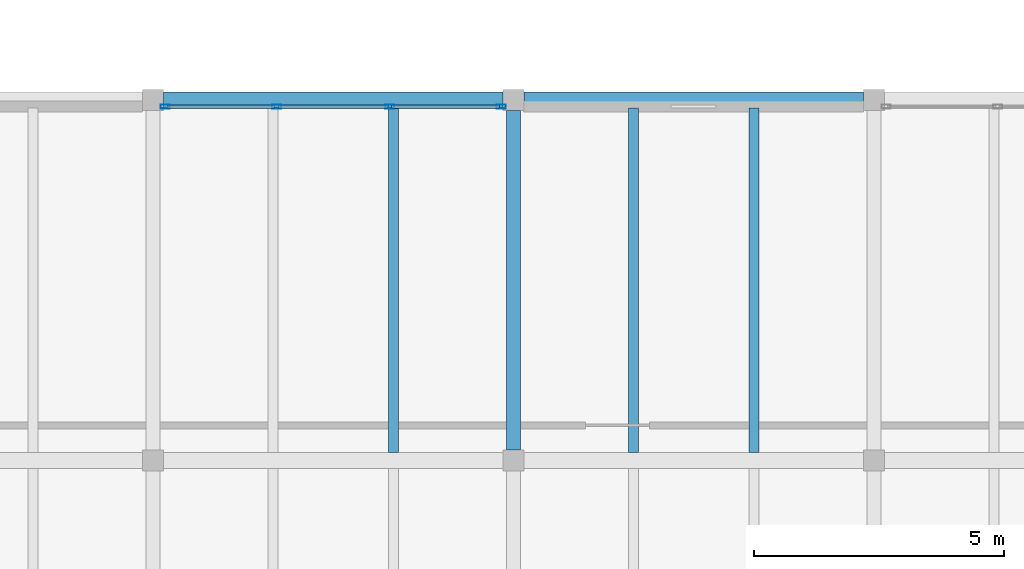
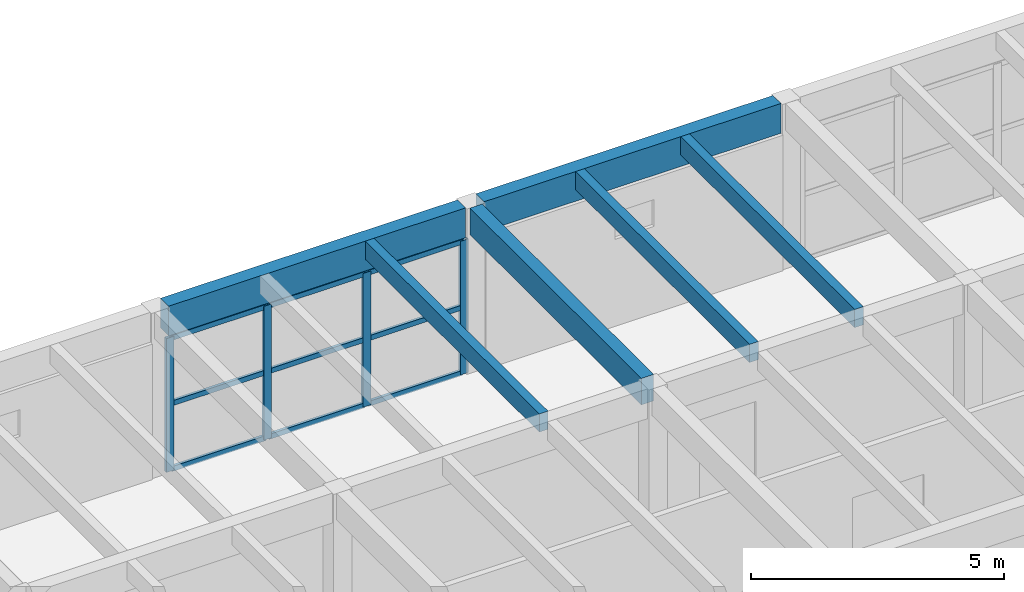
# One storey, part 26 of 68: 13 members, 6 beams, 1 element without a shape of its own.
"""IFC4 building model written with IfcOpenShell, lengths in metres."""

from ifc_helpers import new_model, si_unit, direction, frame, origin, origin_2d, place, context, subcontext, project, spatial, rectangle, hollow_rectangle, extrude, material, material_profile, profile_set, type_object, element, aggregate, save


model = new_model("IFC4")

# Units and contexts
model_context = context("Model", 3, precision=1e-05, world=origin(), true_north=direction((0.0, 1.0)))
body_context = subcontext(model_context, "Body", "Model", "MODEL_VIEW")
ifc_project = project(units=[si_unit("LENGTHUNIT", "METRE"), si_unit("AREAUNIT", "SQUARE_METRE"), si_unit("VOLUMEUNIT", "CUBIC_METRE"), si_unit("PLANEANGLEUNIT", "RADIAN"), si_unit("MASSUNIT", "GRAM", prefix="KILO")], contexts=[model_context])

# Site, building, storey
site_placement = place(None, origin())
site = spatial("IfcSite", under=ifc_project, at=site_placement, CompositionType="ELEMENT")
building_placement = place(site_placement, origin())
building = spatial("IfcBuilding", under=site, at=building_placement, Name="Bramvelor Terrace Health Centre", CompositionType="ELEMENT")
storey_placement = place(building_placement, frame((0.0, 0.0, 9.300048828125)))
storey = spatial("IfcBuildingStorey", under=building, at=storey_placement, Name="L03", CompositionType="ELEMENT", Elevation=9.300048828125)

# Beams
ifc_material_1 = material(Name="Glulam GL28h", Category="wood")
ifc_material_profile_1 = material_profile(ifc_material_1, rectangle(XDim=0.280029296875, YDim=0.639892578125, at=origin_2d()), Name="GL 280x640")
ifc_profile_set_1 = profile_set([ifc_material_profile_1], Name="Glulam GL28h")
beam_type_1 = type_object("IfcBeamType", Name="BM-GL-G640", PredefinedType="BEAM", material=ifc_profile_set_1)
beam_1_placement = place(storey_placement, frame((122.39990234375, 57.81005859375, 3.669921875), z_axis=(0.0, 1.0, 0.0), x_axis=(-1.0, 0.0, 0.0)))
element("IfcBeam", 1, at=beam_1_placement, inside=storey, type_object=beam_type_1, Name="L03 Floor Girder", PredefinedType="BEAM", context=body_context, shape_type="SweptSolid", body=[
    extrude(rectangle(XDim=0.280029296875, YDim=0.639892578125, at=origin_2d()), origin(), (0.0, 0.0, 1.0), 6.780029296875),
])
ifc_material_2 = material(Name="Glulam GL28h", Category="wood")
ifc_material_profile_2 = material_profile(ifc_material_2, rectangle(XDim=0.320068359375, YDim=0.719970703125, at=origin_2d()), Name="GL 320x720")
ifc_profile_set_2 = profile_set([ifc_material_profile_2], Name="Glulam GL28h")
beam_type_2 = type_object("IfcBeamType", Name="BM-GL-G720", PredefinedType="BEAM", material=ifc_profile_set_2)
beam_2_placement = place(storey_placement, frame((115.409912109375, 64.800048828125, 3.6298828125), z_axis=(1.0, 0.0, 0.0), x_axis=(0.0, 1.0, 0.0)))
element("IfcBeam", 2, at=beam_2_placement, inside=storey, type_object=beam_type_2, Name="L03 Floor Girder", PredefinedType="BEAM", context=body_context, shape_type="SweptSolid", body=[
    extrude(rectangle(XDim=0.320068359375, YDim=0.719970703125, at=origin_2d()), origin(), (0.0, 0.0, 1.0), 6.780029296875),
])
beam_3_placement = place(storey_placement, frame((122.610107421875, 64.800048828125, 3.6298828125), z_axis=(1.0, 0.0, 0.0), x_axis=(0.0, 1.0, 0.0)))
element("IfcBeam", 3, at=beam_3_placement, inside=storey, type_object=beam_type_2, Name="L03 Floor Girder", PredefinedType="BEAM", context=body_context, shape_type="SweptSolid", body=[
    extrude(rectangle(XDim=0.320068359375, YDim=0.719970703125, at=origin_2d()), origin(), (0.0, 0.0, 1.0), 6.77978515625),
])
ifc_material_3 = material(Name="Glulam GL28h", Category="wood")
ifc_material_profile_3 = material_profile(ifc_material_3, rectangle(XDim=0.199951171875, YDim=0.43994140625, at=origin_2d()), Name="GL 200x440")
ifc_profile_set_3 = profile_set([ifc_material_profile_3], Name="Glulam GL28h")
beam_type_3 = type_object("IfcBeamType", Name="BM-GL-J440", PredefinedType="JOIST", material=ifc_profile_set_3)
for number, where, z_axis, x_axis, name in (
    (4, (120.0, 57.760009765625, 3.77001953125), (0.0, 1.0, 0.0), (-1.0, 0.0, 0.0), "L03 Secondary Floor Joist"),
    (5, (124.800048828125, 57.760009765625, 3.77001953125), (0.0, 1.0, 0.0), (-1.0, 0.0, 0.0), "L03 Secondary Floor Joist"),
    (6, (127.199951171875, 57.760009765625, 3.77001953125), (0.0, 1.0, 0.0), (-1.0, 0.0, 0.0), "L03 Secondary Floor Joist"),
):
    element("IfcBeam", number, at=place(storey_placement, frame(where, z_axis=z_axis, x_axis=x_axis)), inside=storey, type_object=beam_type_3, Name=name, PredefinedType="JOIST", context=body_context, shape_type="SweptSolid", body=[
        extrude(rectangle(XDim=0.199951171875, YDim=0.43994140625, at=origin_2d()), origin(), (0.0, 0.0, 1.0), 6.8798828125),
    ])

# Curtain wall, members
ifc_material_4 = material(Name="Anodized aluminium and double low-E glass", Category="aluminium")
curtain_wall_type = type_object("IfcCurtainWallType", Name="CW-SYS-27", PredefinedType="NOTDEFINED", material=ifc_material_4)
curtain_wall_placement = place(storey_placement, origin())
curtain_wall = element("IfcCurtainWall", 7, at=curtain_wall_placement, inside=storey, type_object=curtain_wall_type, Name="L03 Unitized Curtain Wall 163", PredefinedType="NOTDEFINED")
ifc_material_5 = material(Name="Anodized aluminium 6063-T6", Category="aluminium")
ifc_material_profile_4 = material_profile(ifc_material_5, hollow_rectangle(XDim=0.074951171875, YDim=0.179931640625, WallThickness=0.00341796875, at=origin_2d()), Name="ALU-MUL 75x180x3.5")
ifc_profile_set_4 = profile_set([ifc_material_profile_4], Name="Anodized aluminium 6063-T6")
member_type_1 = type_object("IfcMemberType", Name="CW-MUL-65x180", PredefinedType="MULLION", material=ifc_profile_set_4)
member_1_placement = place(storey_placement, frame((115.4423828125, 64.669921875, 0.0), z_axis=(0.0, 0.0, 1.0), x_axis=(0.0, 1.0, 0.0)))
member_1 = element("IfcMember", 8, at=member_1_placement, type_object=member_type_1, Name="CW-27 mullion 1", PredefinedType="MULLION", context=body_context, shape_type="SweptSolid", body=[
    extrude(hollow_rectangle(XDim=0.074951171875, YDim=0.179931640625, WallThickness=0.00341796875, at=origin_2d()), origin(), (0.0, 0.0, 1.0), 3.22998046875),
])
member_2_placement = place(storey_placement, frame((117.668212890625, 64.669921875, 0.0), z_axis=(0.0, 0.0, 1.0), x_axis=(0.0, 1.0, 0.0)))
member_2 = element("IfcMember", 9, at=member_2_placement, type_object=member_type_1, Name="CW-27 mullion 2", PredefinedType="MULLION", context=body_context, shape_type="SweptSolid", body=[
    extrude(hollow_rectangle(XDim=0.074951171875, YDim=0.179931640625, WallThickness=0.00341796875, at=origin_2d()), origin(), (0.0, 0.0, 1.0), 3.22998046875),
])
member_3_placement = place(storey_placement, frame((119.931640625, 64.669921875, 0.0), z_axis=(0.0, 0.0, 1.0), x_axis=(0.0, 1.0, 0.0)))
member_3 = element("IfcMember", 10, at=member_3_placement, type_object=member_type_1, Name="CW-27 mullion 3", PredefinedType="MULLION", context=body_context, shape_type="SweptSolid", body=[
    extrude(hollow_rectangle(XDim=0.074951171875, YDim=0.179931640625, WallThickness=0.00341796875, at=origin_2d()), origin(), (0.0, 0.0, 1.0), 3.22998046875),
])
member_4_placement = place(storey_placement, frame((122.157470703125, 64.669921875, 0.0), z_axis=(0.0, 0.0, 1.0), x_axis=(0.0, 1.0, 0.0)))
member_4 = element("IfcMember", 11, at=member_4_placement, type_object=member_type_1, Name="CW-27 mullion 4", PredefinedType="MULLION", context=body_context, shape_type="SweptSolid", body=[
    extrude(hollow_rectangle(XDim=0.074951171875, YDim=0.179931640625, WallThickness=0.00341796875, at=origin_2d()), origin(), (0.0, 0.0, 1.0), 3.22998046875),
])
ifc_material_6 = material(Name="Anodized aluminium 6063-T6", Category="aluminium")
ifc_material_profile_5 = material_profile(ifc_material_6, hollow_rectangle(XDim=0.06494140625, YDim=0.1201171875, WallThickness=0.0029296875, at=origin_2d()), Name="ALU-TRN 65x120x3.0")
ifc_profile_set_5 = profile_set([ifc_material_profile_5], Name="Anodized aluminium 6063-T6")
member_type_2 = type_object("IfcMemberType", Name="CW-TRN-65x150", PredefinedType="USERDEFINED", material=ifc_profile_set_5)
member_5_placement = place(storey_placement, frame((115.47998046875, 64.669921875, 0.032470703125), z_axis=(1.0, 0.0, 0.0), x_axis=(0.0, 1.0, 0.0)))
member_5 = element("IfcMember", 12, at=member_5_placement, type_object=member_type_2, Name="CW-27 transom 1.1", ObjectType="TRANSOM", PredefinedType="USERDEFINED", context=body_context, shape_type="SweptSolid", body=[
    extrude(hollow_rectangle(XDim=0.06494140625, YDim=0.1201171875, WallThickness=0.0029296875, at=origin_2d()), origin(), (0.0, 0.0, 1.0), 2.15087890625),
])
member_6_placement = place(storey_placement, frame((115.47998046875, 64.669921875, 1.614990234375), z_axis=(1.0, 0.0, 0.0), x_axis=(0.0, 1.0, 0.0)))
member_6 = element("IfcMember", 13, at=member_6_placement, type_object=member_type_2, Name="CW-27 transom 1.2", ObjectType="TRANSOM", PredefinedType="USERDEFINED", context=body_context, shape_type="SweptSolid", body=[
    extrude(hollow_rectangle(XDim=0.06494140625, YDim=0.1201171875, WallThickness=0.0029296875, at=origin_2d()), origin(), (0.0, 0.0, 1.0), 2.15087890625),
])
member_7_placement = place(storey_placement, frame((115.47998046875, 64.669921875, 3.197509765625), z_axis=(1.0, 0.0, 0.0), x_axis=(0.0, 1.0, 0.0)))
member_7 = element("IfcMember", 14, at=member_7_placement, type_object=member_type_2, Name="CW-27 transom 1.3", ObjectType="TRANSOM", PredefinedType="USERDEFINED", context=body_context, shape_type="SweptSolid", body=[
    extrude(hollow_rectangle(XDim=0.06494140625, YDim=0.1201171875, WallThickness=0.0029296875, at=origin_2d()), origin(), (0.0, 0.0, 1.0), 2.15087890625),
])
member_8_placement = place(storey_placement, frame((117.705810546875, 64.669921875, 0.032470703125), z_axis=(1.0, 0.0, 0.0), x_axis=(0.0, 1.0, 0.0)))
member_8 = element("IfcMember", 15, at=member_8_placement, type_object=member_type_2, Name="CW-27 transom 2.1", ObjectType="TRANSOM", PredefinedType="USERDEFINED", context=body_context, shape_type="SweptSolid", body=[
    extrude(hollow_rectangle(XDim=0.06494140625, YDim=0.1201171875, WallThickness=0.0029296875, at=origin_2d()), origin(), (0.0, 0.0, 1.0), 2.1884765625),
])
member_9_placement = place(storey_placement, frame((117.705810546875, 64.669921875, 1.614990234375), z_axis=(1.0, 0.0, 0.0), x_axis=(0.0, 1.0, 0.0)))
member_9 = element("IfcMember", 16, at=member_9_placement, type_object=member_type_2, Name="CW-27 transom 2.2", ObjectType="TRANSOM", PredefinedType="USERDEFINED", context=body_context, shape_type="SweptSolid", body=[
    extrude(hollow_rectangle(XDim=0.06494140625, YDim=0.1201171875, WallThickness=0.0029296875, at=origin_2d()), origin(), (0.0, 0.0, 1.0), 2.1884765625),
])
member_10_placement = place(storey_placement, frame((117.705810546875, 64.669921875, 3.197509765625), z_axis=(1.0, 0.0, 0.0), x_axis=(0.0, 1.0, 0.0)))
member_10 = element("IfcMember", 17, at=member_10_placement, type_object=member_type_2, Name="CW-27 transom 2.3", ObjectType="TRANSOM", PredefinedType="USERDEFINED", context=body_context, shape_type="SweptSolid", body=[
    extrude(hollow_rectangle(XDim=0.06494140625, YDim=0.1201171875, WallThickness=0.0029296875, at=origin_2d()), origin(), (0.0, 0.0, 1.0), 2.1884765625),
])
member_11_placement = place(storey_placement, frame((119.96923828125, 64.669921875, 0.032470703125), z_axis=(1.0, 0.0, 0.0), x_axis=(0.0, 1.0, 0.0)))
member_11 = element("IfcMember", 18, at=member_11_placement, type_object=member_type_2, Name="CW-27 transom 3.1", ObjectType="TRANSOM", PredefinedType="USERDEFINED", context=body_context, shape_type="SweptSolid", body=[
    extrude(hollow_rectangle(XDim=0.06494140625, YDim=0.1201171875, WallThickness=0.0029296875, at=origin_2d()), origin(), (0.0, 0.0, 1.0), 2.15087890625),
])
member_12_placement = place(storey_placement, frame((119.96923828125, 64.669921875, 1.614990234375), z_axis=(1.0, 0.0, 0.0), x_axis=(0.0, 1.0, 0.0)))
member_12 = element("IfcMember", 19, at=member_12_placement, type_object=member_type_2, Name="CW-27 transom 3.2", ObjectType="TRANSOM", PredefinedType="USERDEFINED", context=body_context, shape_type="SweptSolid", body=[
    extrude(hollow_rectangle(XDim=0.06494140625, YDim=0.1201171875, WallThickness=0.0029296875, at=origin_2d()), origin(), (0.0, 0.0, 1.0), 2.15087890625),
])
member_13_placement = place(storey_placement, frame((119.96923828125, 64.669921875, 3.197509765625), z_axis=(1.0, 0.0, 0.0), x_axis=(0.0, 1.0, 0.0)))
member_13 = element("IfcMember", 20, at=member_13_placement, type_object=member_type_2, Name="CW-27 transom 3.3", ObjectType="TRANSOM", PredefinedType="USERDEFINED", context=body_context, shape_type="SweptSolid", body=[
    extrude(hollow_rectangle(XDim=0.06494140625, YDim=0.1201171875, WallThickness=0.0029296875, at=origin_2d()), origin(), (0.0, 0.0, 1.0), 2.15087890625),
])
aggregate(curtain_wall, [member_1, member_2, member_3, member_4, member_5, member_6, member_7, member_8, member_9, member_10, member_11, member_12, member_13])

save(model, "model.ifc")
